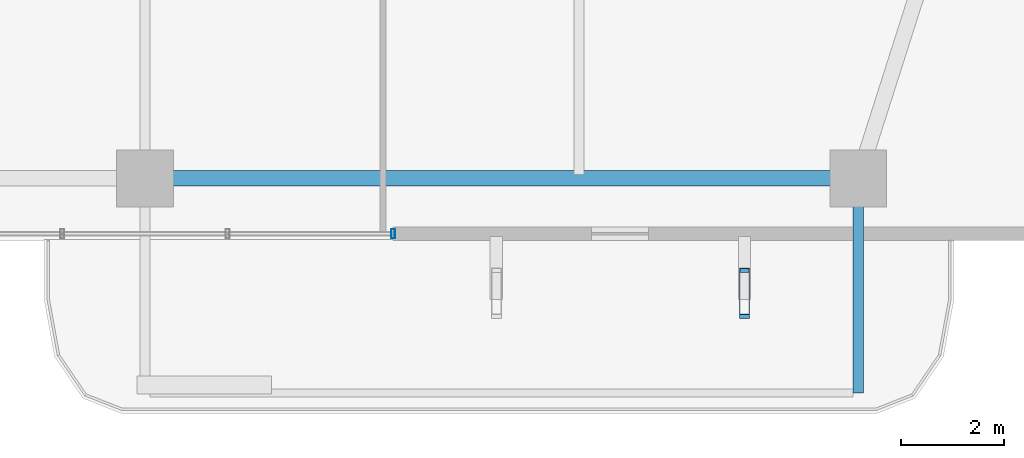
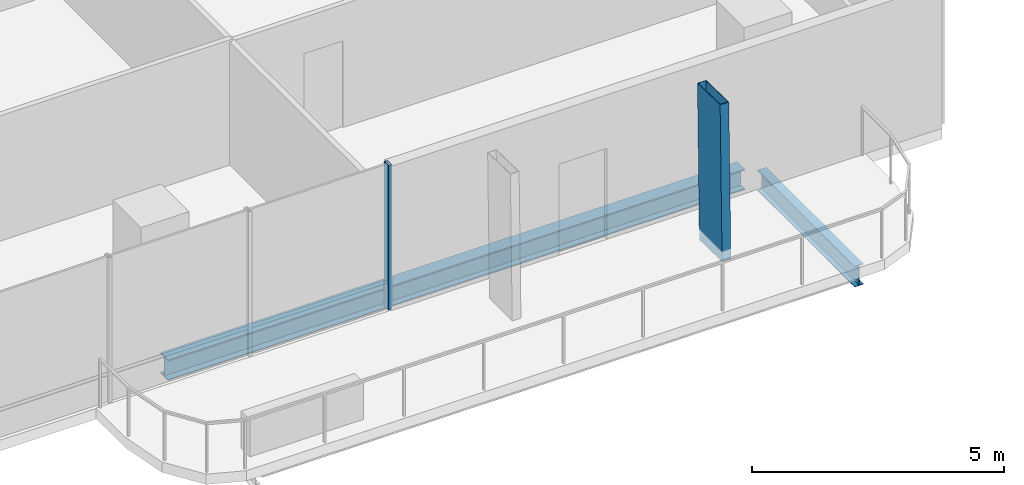
# One storey, part 8 of 24: 2 beams, 2 members, 1 element without a shape of its own.
"""IFC4 building model written with IfcOpenShell, lengths in metres."""

from ifc_helpers import new_model, si_unit, direction, frame, origin, origin_2d, place, context, subcontext, project, spatial, hollow_rectangle, i_section, extrude, material, layer, layer_set, material_profile, profile_set, type_object, element, aggregate, save


model = new_model("IFC4")

# Units and contexts
model_context = context("Model", 3, precision=1e-05, world=origin(), true_north=direction((0.0, 1.0)))
body_context = subcontext(model_context, "Body", "Model", "MODEL_VIEW")
ifc_project = project(units=[si_unit("LENGTHUNIT", "METRE"), si_unit("AREAUNIT", "SQUARE_METRE"), si_unit("VOLUMEUNIT", "CUBIC_METRE"), si_unit("PLANEANGLEUNIT", "RADIAN"), si_unit("MASSUNIT", "GRAM", prefix="KILO")], contexts=[model_context])

# Site, building, storey
site_placement = place(None, origin())
site = spatial("IfcSite", under=ifc_project, at=site_placement, CompositionType="ELEMENT")
building_placement = place(site_placement, origin())
building = spatial("IfcBuilding", under=site, at=building_placement, Name="Belovzor Exchange Tower", CompositionType="ELEMENT")
storey_placement = place(building_placement, frame((0.0, 0.0, 168.300048828125)))
storey = spatial("IfcBuildingStorey", under=building, at=storey_placement, Name="L41", CompositionType="ELEMENT", Elevation=168.300048828125)

# Beam
ifc_material_1 = material(Name="Steel S355", Category="steel")
ifc_material_profile_1 = material_profile(ifc_material_1, i_section(OverallWidth=0.199951171875, OverallDepth=0.5, WebThickness=0.01025390625, FlangeThickness=0.01611328125, at=origin_2d()))
ifc_profile_set_1 = profile_set([ifc_material_profile_1], Name="Steel S355")
beam_type_1 = type_object("IfcBeamType", Name="Planted Balcony Cantilever Beam IPE 500", PredefinedType="BEAM", material=ifc_profile_set_1)
beam_1_placement = place(storey_placement, frame((42.60009765625, 5.39697265625, -0.505126953125), z_axis=(0.0, -1.0, 0.0), x_axis=(1.0, 0.0, 0.0)))
element("IfcBeam", 1, at=beam_1_placement, inside=storey, type_object=beam_type_1, Name="BC-500 Planted Balcony Cantilever Beam IPE 500", PredefinedType="BEAM", context=body_context, shape_type="SweptSolid", body=[
    extrude(i_section(OverallWidth=0.199951171875, OverallDepth=0.5, WebThickness=0.01025390625, FlangeThickness=0.01611328125, at=origin_2d()), origin(), (0.0, 0.0, 1.0), 3.849853515625),
])

# Member
ifc_material_2 = material(Name="Extruded Architectural Terracotta on Steel S355 Carrier", Category="masonry")
ifc_material_profile_2 = material_profile(ifc_material_2, hollow_rectangle(XDim=0.199951171875, YDim=0.89990234375, WallThickness=0.011962890625, at=origin_2d()))
ifc_profile_set_2 = profile_set([ifc_material_profile_2], Name="Extruded Architectural Terracotta on Steel S355 Carrier")
member_type_1 = type_object("IfcMemberType", Name="Sweeping Terracotta Baguette Fin Assembly 1250", PredefinedType="USERDEFINED", material=ifc_profile_set_2)
member_1_placement = place(storey_placement, frame((40.39990234375, 3.43994140625, -0.255126953125), z_axis=(0.0, 0.021089058773, 0.999777601069), x_axis=(-1.0, 0.0, 0.0)))
element("IfcMember", 2, at=member_1_placement, inside=storey, type_object=member_type_1, Name="FIN-TC125 Terracotta Facade Fin L41 S4", ObjectType="FIN", PredefinedType="USERDEFINED", context=body_context, shape_type="SweptSolid", body=[
    extrude(hollow_rectangle(XDim=0.199951171875, YDim=0.89990234375, WallThickness=0.011962890625, at=origin_2d()), origin(), (0.0, 0.0, 1.0), 3.750732421875),
])

# Curtain wall, member
ifc_material_3 = material(Name="Anodised Aluminium Framing", Category="aluminium")
ifc_layer = layer(ifc_material_3, 0.179931640625)
ifc_layer_set = layer_set([ifc_layer], Name="Anodised Aluminium Framing")
curtain_wall_type = type_object("IfcCurtainWallType", Name="Recessed Loggia Low-Iron Triple-Glazed Curtain Wall", PredefinedType="NOTDEFINED", material=ifc_layer_set)
curtain_wall_placement = place(storey_placement, origin())
curtain_wall = element("IfcCurtainWall", 3, at=curtain_wall_placement, inside=storey, type_object=curtain_wall_type, Name="CW3 Recessed Loggia Low-Iron Triple-Glazed Curtain Wall L41", PredefinedType="NOTDEFINED")
ifc_material_4 = material(Name="Steel S355", Category="steel")
ifc_material_profile_3 = material_profile(ifc_material_4, hollow_rectangle(XDim=0.074951171875, YDim=0.179931640625, WallThickness=0.0048828125, at=origin_2d()))
ifc_profile_set_3 = profile_set([ifc_material_profile_3], Name="Steel S355")
member_type_2 = type_object("IfcMemberType", Name="Thermally Broken Curtain Wall Mullion 180x75", PredefinedType="MULLION", material=ifc_profile_set_3)
member_2_placement = place(storey_placement, frame((33.60009765625, 4.6298828125, 0.0), z_axis=(0.0, 0.0, 1.0), x_axis=(-1.0, 0.0, 0.0)))
member_2 = element("IfcMember", 4, at=member_2_placement, type_object=member_type_2, Name="CW-M180 Curtain Wall Mullion 1", PredefinedType="MULLION", context=body_context, shape_type="SweptSolid", body=[
    extrude(hollow_rectangle(XDim=0.074951171875, YDim=0.179931640625, WallThickness=0.0048828125, at=origin_2d()), origin(), (0.0, 0.0, 1.0), 3.494873046875),
])
aggregate(curtain_wall, [member_2])

# Beam
ifc_material_5 = material(Name="Steel S355", Category="steel")
ifc_material_profile_4 = material_profile(ifc_material_5, i_section(OverallWidth=0.300048828125, OverallDepth=0.5, WebThickness=0.014404296875, FlangeThickness=0.028076171875, at=origin_2d()))
ifc_profile_set_4 = profile_set([ifc_material_profile_4], Name="Steel S355")
beam_type_2 = type_object("IfcBeamType", Name="Zone 3 Waist Primary Girder HEB 500", PredefinedType="BEAM", material=ifc_profile_set_4)
beam_2_placement = place(storey_placement, frame((29.10205078125, 5.699951171875, -0.505126953125), z_axis=(1.0, 0.0, 0.0), x_axis=(0.0, 1.0, 0.0)))
element("IfcBeam", 5, at=beam_2_placement, inside=storey, type_object=beam_type_2, Name="FG-Z3 Zone 3 Waist Primary Girder HEB 500", PredefinedType="BEAM", context=body_context, shape_type="SweptSolid", body=[
    extrude(i_section(OverallWidth=0.300048828125, OverallDepth=0.5, WebThickness=0.014404296875, FlangeThickness=0.028076171875, at=origin_2d()), origin(), (0.0, 0.0, 1.0), 13.195068359375),
])

save(model, "model.ifc")
